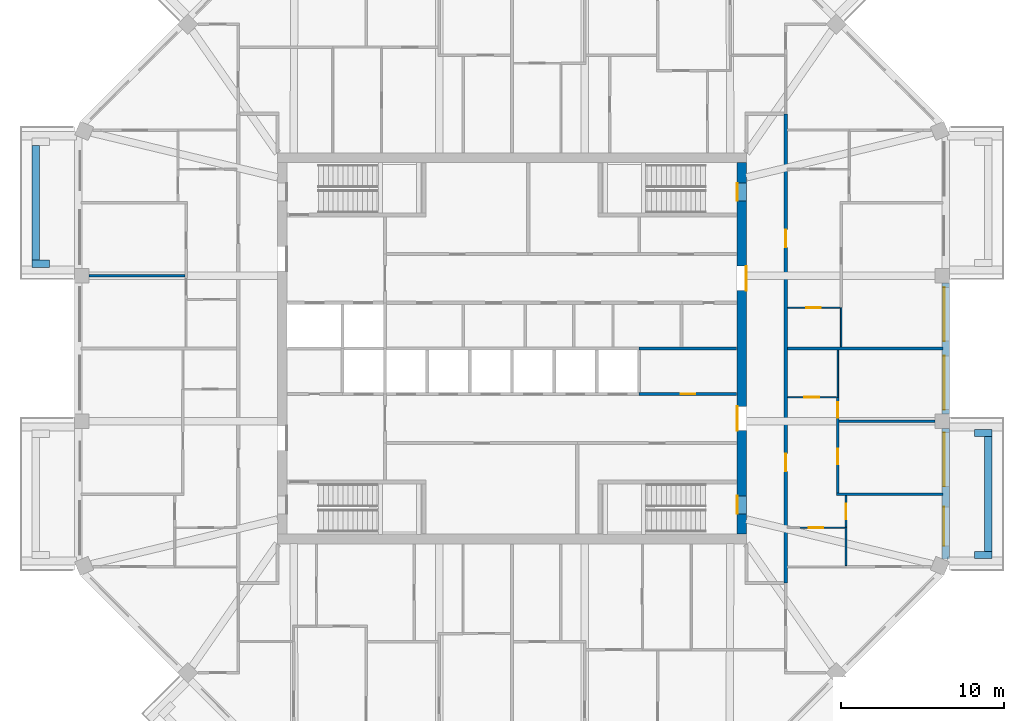
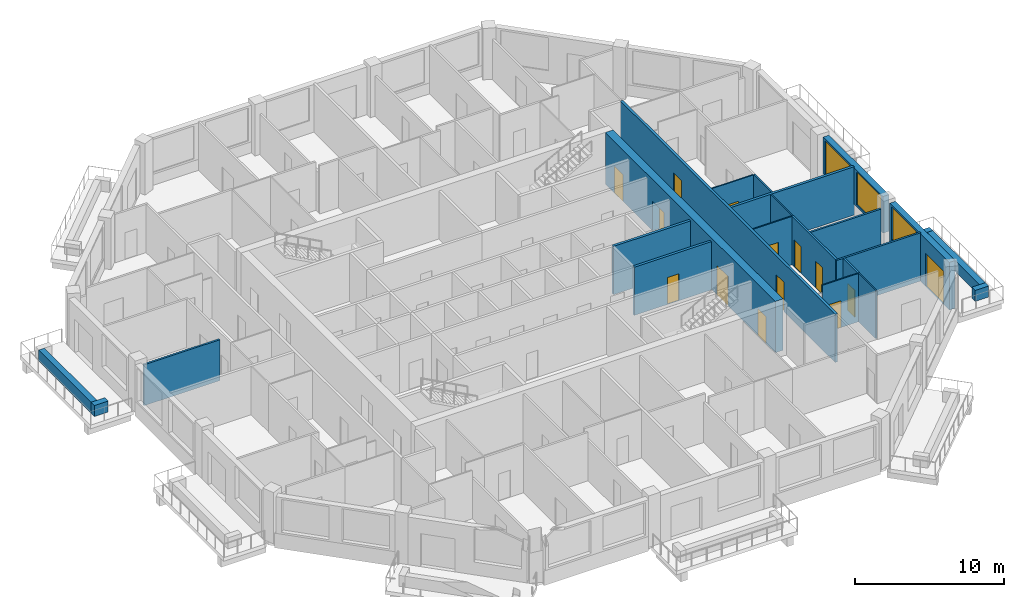
# One storey, part 6 of 12: 23 walls, 14 doors, 3 windows, 17 openings.
"""IFC4 building model written with IfcOpenShell, lengths in metres."""

from ifc_helpers import new_model, si_unit, direction, frame, frame_2d, origin, place, context, subcontext, project, spatial, rectangle, extrude, material, layer, layer_set, type_object, element, fill, save


model = new_model("IFC4")

# Units and contexts
model_context = context("Model", 3, precision=1e-05, world=origin(), true_north=direction((0.0, 1.0)))
body_context = subcontext(model_context, "Body", "Model", "MODEL_VIEW")
ifc_project = project(units=[si_unit("LENGTHUNIT", "METRE"), si_unit("AREAUNIT", "SQUARE_METRE"), si_unit("VOLUMEUNIT", "CUBIC_METRE"), si_unit("PLANEANGLEUNIT", "RADIAN"), si_unit("MASSUNIT", "GRAM", prefix="KILO")], contexts=[model_context])

# Site, building, storey
site_placement = place(None, origin())
site = spatial("IfcSite", under=ifc_project, at=site_placement, CompositionType="ELEMENT")
building_placement = place(site_placement, origin())
building = spatial("IfcBuilding", under=site, at=building_placement, Name="Msitu Wima Residences", CompositionType="ELEMENT")
storey_placement = place(building_placement, frame((0.0, 0.0, 276.89990234375)))
storey = spatial("IfcBuildingStorey", under=building, at=storey_placement, Name="L64", CompositionType="ELEMENT", Elevation=276.89990234375)

# Walls
ifc_material_1 = material(Name="Facing brick")
ifc_layer_1 = layer(ifc_material_1, 0.06494140625, Name="Facing brick")
ifc_material_2 = material(Name="Concrete C40/50", Category="concrete")
ifc_layer_2 = layer(ifc_material_2, 0.156005859375, Name="Concrete C40/50")
ifc_material_3 = material(Name="Waterproofing membrane")
ifc_layer_3 = layer(ifc_material_3, 0.00390625, Name="Waterproofing membrane")
ifc_material_4 = material(Name="Planting soil and planting")
ifc_layer_4 = layer(ifc_material_4, 0.22509765625, Name="Planting soil and planting")
ifc_layer_set_1 = layer_set([ifc_layer_1, ifc_layer_2, ifc_layer_3, ifc_layer_4], Name="Concrete C40/50")
wall_type_1 = type_object("IfcWallType", Name="Balcony planter PLANTER PL450", PredefinedType="USERDEFINED", material=ifc_layer_set_1)
wall_1_placement = place(storey_placement, frame((29.22509765625, -12.455810546875, 0.0), z_axis=(0.0, 0.0, 1.0), x_axis=(0.0, 1.0, 0.0)))
element("IfcWall", 1, at=wall_1_placement, inside=storey, type_object=wall_type_1, Name="Balcony planter E0 L64", ObjectType="PLANTER", PredefinedType="USERDEFINED", context=body_context, shape_type="SweptSolid", body=[
    extrude(rectangle(XDim=7.037109375, YDim=0.449951171875, at=frame_2d((3.5185546875, 0.0))), origin(), (0.0, 0.0, 1.0), 0.900146484375),
])
for number, where, z_axis, x_axis, name in (
    (2, (28.39990234375, -12.680908203125, 0.0), (0.0, 0.0, 1.0), (1.0, 0.0, 0.0), "Balcony planter E0 L64"),
    (3, (28.39990234375, -5.193603515625, 0.0), (0.0, 0.0, 1.0), (1.0, 0.0, 0.0), "Balcony planter E0 L64"),
):
    element("IfcWall", number, at=place(storey_placement, frame(where, z_axis=z_axis, x_axis=x_axis)), inside=storey, type_object=wall_type_1, Name=name, ObjectType="PLANTER", PredefinedType="USERDEFINED", context=body_context, shape_type="SweptSolid", body=[
        extrude(rectangle(XDim=1.050048828125, YDim=0.449951171875, at=frame_2d((0.52490234375, 0.0))), origin(), (0.0, 0.0, 1.0), 0.900146484375),
    ])
wall_2_placement = place(storey_placement, frame((-29.22509765625, 12.455810546875, 0.0), z_axis=(0.0, 0.0, 1.0), x_axis=(0.0, -1.0, 0.0)))
element("IfcWall", 4, at=wall_2_placement, inside=storey, type_object=wall_type_1, Name="Balcony planter W0 L64", ObjectType="PLANTER", PredefinedType="USERDEFINED", context=body_context, shape_type="SweptSolid", body=[
    extrude(rectangle(XDim=7.037109375, YDim=0.449951171875, at=frame_2d((3.5185546875, 0.0))), origin(), (0.0, 0.0, 1.0), 0.900146484375),
])
wall_3_placement = place(storey_placement, frame((-28.39990234375, 5.193603515625, 0.0), z_axis=(0.0, 0.0, 1.0), x_axis=(-1.0, 0.0, 0.0)))
element("IfcWall", 5, at=wall_3_placement, inside=storey, type_object=wall_type_1, Name="Balcony planter W0 L64", ObjectType="PLANTER", PredefinedType="USERDEFINED", context=body_context, shape_type="SweptSolid", body=[
    extrude(rectangle(XDim=1.050048828125, YDim=0.449951171875, at=frame_2d((0.52490234375, 0.0))), origin(), (0.0, 0.0, 1.0), 0.900146484375),
])

# Wall, openings, door, window
ifc_material_5 = material(Name="Brick (red buff mix)", Category="masonry")
ifc_layer_5 = layer(ifc_material_5, 0.449951171875)
ifc_layer_set_2 = layer_set([ifc_layer_5], Name="Brick (red buff mix)")
wall_type_2 = type_object("IfcWallType", Name="Brick infill wall BW450", PredefinedType="SOLIDWALL", material=ifc_layer_set_2)
wall_4_placement = place(storey_placement, frame((26.625, -12.918701171875, 0.0), z_axis=(0.0, 0.0, 1.0), x_axis=(0.0, 1.0, 0.0)))
wall_4 = element("IfcWall", 6, at=wall_4_placement, inside=storey, type_object=wall_type_2, Name="Brick infill wall L64 E0", PredefinedType="SOLIDWALL", context=body_context, shape_type="SweptSolid", body=[
    extrude(rectangle(XDim=8.0, YDim=0.449951171875, at=frame_2d((4.0, 0.0))), origin(), (0.0, 0.0, 1.0), 3.900146484375),
])
opening_1_placement = place(wall_4_placement, frame((0.800048828125, 0.0, 0.0)))
opening_1 = element("IfcOpeningElement", 7, at=opening_1_placement, cuts=wall_4, Name="Opening D63-64.001", PredefinedType="OPENING", context=body_context, shape_type="SweptSolid", body=[
    extrude(rectangle(XDim=2.39990234375, YDim=2.699951171875, at=frame_2d((1.199951171875, 1.35009765625))), frame((0.0, 0.23486328125, 0.0), z_axis=(0.0, -1.0, 0.0), x_axis=(1.0, 0.0, 0.0)), (0.0, 0.0, 1.0), 0.469970703125),
])
opening_2_placement = place(wall_4_placement, frame((4.4501953125, 0.0, 1.050048828125)))
opening_2 = element("IfcOpeningElement", 8, at=opening_2_placement, cuts=wall_4, Name="Opening W63-64.001", PredefinedType="OPENING", context=body_context, shape_type="SweptSolid", body=[
    extrude(rectangle(XDim=3.300048828125, YDim=2.699951171875, at=frame_2d((1.64990234375, 1.35009765625))), frame((0.0, 0.23486328125, 0.0), z_axis=(0.0, -1.0, 0.0), x_axis=(1.0, 0.0, 0.0)), (0.0, 0.0, 1.0), 0.469970703125),
])
ifc_material_6 = material(Name="Anodised aluminium, bronze finish, clear low-emissivity double glazing", Category="aluminium")
door_type_1 = type_object("IfcDoorType", Name="Balcony door D2400x2700", OperationType="SLIDING_TO_LEFT", PredefinedType="DOOR", material=ifc_material_6)
door_1_placement = place(opening_1_placement, origin())
door_1 = element("IfcDoor", 9, at=door_1_placement, inside=storey, type_object=door_type_1, Name="Balcony door L64 E0", OperationType="SINGLE_SWING_LEFT", OverallHeight=2.699951171875, OverallWidth=2.39990234375, PredefinedType="DOOR", context=body_context, shape_type="SweptSolid", body=[
    extrude(rectangle(XDim=2.39990234375, YDim=2.699951171875, at=frame_2d((1.199951171875, 1.35009765625))), frame((0.0, 0.1298828125, 0.0), z_axis=(0.0, -1.0, 0.0), x_axis=(1.0, 0.0, 0.0)), (0.0, 0.0, 1.0), 0.050048828125),
])
fill(opening_1, door_1)
window_type = type_object("IfcWindowType", Name="Window W3300x2700", PartitioningType="DOUBLE_PANEL_VERTICAL", PredefinedType="WINDOW", material=ifc_material_6)
window_1_placement = place(opening_2_placement, origin())
window_1 = element("IfcWindow", 10, at=window_1_placement, inside=storey, type_object=window_type, Name="Window L64 E0.2", OverallHeight=2.699951171875, OverallWidth=3.300048828125, PartitioningType="SINGLE_PANEL", PredefinedType="WINDOW", context=body_context, shape_type="SweptSolid", body=[
    extrude(rectangle(XDim=3.300048828125, YDim=2.699951171875, at=frame_2d((1.64990234375, 1.35009765625))), frame((0.0, 0.135009765625, 0.0), z_axis=(0.0, -1.0, 0.0), x_axis=(1.0, 0.0, 0.0)), (0.0, 0.0, 1.0), 0.06005859375),
])
fill(opening_2, window_1)

# Wall, openings, windows
wall_5_placement = place(storey_placement, frame((26.625, -4.0185546875, 0.900146484375), z_axis=(0.0, 0.0, 1.0), x_axis=(0.0, 1.0, 0.0)))
wall_5 = element("IfcWall", 11, at=wall_5_placement, inside=storey, type_object=wall_type_2, Name="Brick infill wall L64 E1", PredefinedType="SOLIDWALL", context=body_context, shape_type="SweptSolid", body=[
    extrude(rectangle(XDim=8.037109375, YDim=0.449951171875, at=frame_2d((4.0185546875, 0.0))), origin(), (0.0, 0.0, 1.0), 3.0),
])
opening_3_placement = place(wall_5_placement, frame((0.2685546875, 0.0, 0.14990234375)))
opening_3 = element("IfcOpeningElement", 12, at=opening_3_placement, cuts=wall_5, Name="Opening W63-64.002", PredefinedType="OPENING", context=body_context, shape_type="SweptSolid", body=[
    extrude(rectangle(XDim=3.300048828125, YDim=2.699951171875, at=frame_2d((1.64990234375, 1.35009765625))), frame((0.0, 0.23486328125, 0.0), z_axis=(0.0, -1.0, 0.0), x_axis=(1.0, 0.0, 0.0)), (0.0, 0.0, 1.0), 0.469970703125),
])
opening_4_placement = place(wall_5_placement, frame((4.46875, 0.0, 0.14990234375)))
opening_4 = element("IfcOpeningElement", 13, at=opening_4_placement, cuts=wall_5, Name="Opening W63-64.003", PredefinedType="OPENING", context=body_context, shape_type="SweptSolid", body=[
    extrude(rectangle(XDim=3.300048828125, YDim=2.699951171875, at=frame_2d((1.64990234375, 1.35009765625))), frame((0.0, 0.23486328125, 0.0), z_axis=(0.0, -1.0, 0.0), x_axis=(1.0, 0.0, 0.0)), (0.0, 0.0, 1.0), 0.469970703125),
])
window_2_placement = place(opening_3_placement, origin())
window_2 = element("IfcWindow", 14, at=window_2_placement, inside=storey, type_object=window_type, Name="Window L64 E1.1", OverallHeight=2.699951171875, OverallWidth=3.300048828125, PartitioningType="SINGLE_PANEL", PredefinedType="WINDOW", context=body_context, shape_type="SweptSolid", body=[
    extrude(rectangle(XDim=3.300048828125, YDim=2.699951171875, at=frame_2d((1.64990234375, 1.35009765625))), frame((0.0, 0.135009765625, 0.0), z_axis=(0.0, -1.0, 0.0), x_axis=(1.0, 0.0, 0.0)), (0.0, 0.0, 1.0), 0.06005859375),
])
fill(opening_3, window_2)
window_3_placement = place(opening_4_placement, origin())
window_3 = element("IfcWindow", 15, at=window_3_placement, inside=storey, type_object=window_type, Name="Window L64 E1.2", OverallHeight=2.699951171875, OverallWidth=3.300048828125, PartitioningType="SINGLE_PANEL", PredefinedType="WINDOW", context=body_context, shape_type="SweptSolid", body=[
    extrude(rectangle(XDim=3.300048828125, YDim=2.699951171875, at=frame_2d((1.64990234375, 1.35009765625))), frame((0.0, 0.135009765625, 0.0), z_axis=(0.0, -1.0, 0.0), x_axis=(1.0, 0.0, 0.0)), (0.0, 0.0, 1.0), 0.06005859375),
])
fill(opening_4, window_3)

# Wall, openings, doors
ifc_material_7 = material(Name="Concrete C50/60", Category="concrete")
ifc_layer_6 = layer(ifc_material_7, 0.60009765625)
ifc_layer_set_3 = layer_set([ifc_layer_6], Name="Concrete C50/60")
wall_type_3 = type_object("IfcWallType", Name="Core wall CW600 C50/60", PredefinedType="SHEAR", material=ifc_layer_set_3)
wall_6_placement = place(storey_placement, frame((14.10009765625, -11.39990234375, 0.0), z_axis=(0.0, 0.0, 1.0), x_axis=(0.0, 1.0, 0.0)))
wall_6 = element("IfcWall", 16, at=wall_6_placement, inside=storey, type_object=wall_type_3, Name="Core wall", PredefinedType="SHEAR", context=body_context, shape_type="SweptSolid", body=[
    extrude(rectangle(XDim=22.7998046875, YDim=0.60009765625, at=frame_2d((11.39990234375, 0.0))), origin(), (0.0, 0.0, 1.0), 4.2001953125),
])
opening_5_placement = place(wall_6_placement, frame((20.449951171875, 0.0, 0.0)))
opening_5 = element("IfcOpeningElement", 17, at=opening_5_placement, cuts=wall_6, Name="Opening D63-64.090", PredefinedType="OPENING", context=body_context, shape_type="SweptSolid", body=[
    extrude(rectangle(XDim=1.10009765625, YDim=2.199951171875, at=frame_2d((0.550048828125, 1.10009765625))), frame((0.0, 0.31005859375, 0.0), z_axis=(0.0, -1.0, 0.0), x_axis=(1.0, 0.0, 0.0)), (0.0, 0.0, 1.0), 0.6201171875),
])
opening_6_placement = place(wall_6_placement, frame((1.25, 0.0, 0.0)))
opening_6 = element("IfcOpeningElement", 18, at=opening_6_placement, cuts=wall_6, Name="Opening D63-64.091", PredefinedType="OPENING", context=body_context, shape_type="SweptSolid", body=[
    extrude(rectangle(XDim=1.10009765625, YDim=2.199951171875, at=frame_2d((0.550048828125, 1.10009765625))), frame((0.0, 0.31005859375, 0.0), z_axis=(0.0, -1.0, 0.0), x_axis=(1.0, 0.0, 0.0)), (0.0, 0.0, 1.0), 0.6201171875),
])
opening_7_placement = place(wall_6_placement, frame((14.949951171875, 0.0, 0.0)))
opening_7 = element("IfcOpeningElement", 19, at=opening_7_placement, cuts=wall_6, Name="Opening D63-64.077", PredefinedType="OPENING", context=body_context, shape_type="SweptSolid", body=[
    extrude(rectangle(XDim=1.5, YDim=2.39990234375, at=frame_2d((0.75, 1.199951171875))), frame((0.0, 0.31005859375, 0.0), z_axis=(0.0, -1.0, 0.0), x_axis=(1.0, 0.0, 0.0)), (0.0, 0.0, 1.0), 0.6201171875),
])
opening_8_placement = place(wall_6_placement, frame((6.35009765625, 0.0, 0.0)))
opening_8 = element("IfcOpeningElement", 20, at=opening_8_placement, cuts=wall_6, Name="Opening D63-64.078", PredefinedType="OPENING", context=body_context, shape_type="SweptSolid", body=[
    extrude(rectangle(XDim=1.5, YDim=2.39990234375, at=frame_2d((0.75, 1.199951171875))), frame((0.0, 0.31005859375, 0.0), z_axis=(0.0, -1.0, 0.0), x_axis=(1.0, 0.0, 0.0)), (0.0, 0.0, 1.0), 0.6201171875),
])
ifc_material_8 = material(Name="Steel framed glazed door, fire resisting", Category="steel")
door_type_2 = type_object("IfcDoorType", Name="Lobby door D07 1500x2400", OperationType="DOUBLE_DOOR_SINGLE_SWING", PredefinedType="DOOR", material=ifc_material_8)
door_2_placement = place(opening_7_placement, origin())
door_2 = element("IfcDoor", 21, at=door_2_placement, inside=storey, type_object=door_type_2, Name="Lobby door", OperationType="DOUBLE_DOOR_SINGLE_SWING", OverallHeight=2.39990234375, OverallWidth=1.5, PredefinedType="DOOR", context=body_context, shape_type="SweptSolid", body=[
    extrude(rectangle(XDim=1.5, YDim=2.39990234375, at=frame_2d((0.75, 1.199951171875))), frame((0.0, -0.2451171875, 0.0), z_axis=(0.0, -1.0, 0.0), x_axis=(1.0, 0.0, 0.0)), (0.0, 0.0, 1.0), 0.050048828125),
])
fill(opening_7, door_2)
door_3_placement = place(opening_8_placement, origin())
door_3 = element("IfcDoor", 22, at=door_3_placement, inside=storey, type_object=door_type_2, Name="Lobby door", OperationType="DOUBLE_DOOR_SINGLE_SWING", OverallHeight=2.39990234375, OverallWidth=1.5, PredefinedType="DOOR", context=body_context, shape_type="SweptSolid", body=[
    extrude(rectangle(XDim=1.5, YDim=2.39990234375, at=frame_2d((0.75, 1.199951171875))), frame((0.0, 0.294921875, 0.0), z_axis=(0.0, -1.0, 0.0), x_axis=(1.0, 0.0, 0.0)), (0.0, 0.0, 1.0), 0.050048828125),
])
fill(opening_8, door_3)
ifc_material_9 = material(Name="Steel door, fire resisting, panic bar", Category="steel")
door_type_3 = type_object("IfcDoorType", Name="Stair door D06 1100x2200", OperationType="SINGLE_SWING_LEFT", PredefinedType="DOOR", material=ifc_material_9)
door_4_placement = place(opening_5_placement, origin())
door_4 = element("IfcDoor", 23, at=door_4_placement, inside=storey, type_object=door_type_3, Name="Stair door", OperationType="SINGLE_SWING_LEFT", OverallHeight=2.199951171875, OverallWidth=1.10009765625, PredefinedType="DOOR", context=body_context, shape_type="SweptSolid", body=[
    extrude(rectangle(XDim=1.10009765625, YDim=2.199951171875, at=frame_2d((0.550048828125, 1.10009765625))), frame((0.0, 0.294921875, 0.0), z_axis=(0.0, -1.0, 0.0), x_axis=(1.0, 0.0, 0.0)), (0.0, 0.0, 1.0), 0.050048828125),
])
fill(opening_5, door_4)
door_5_placement = place(opening_6_placement, origin())
door_5 = element("IfcDoor", 24, at=door_5_placement, inside=storey, type_object=door_type_3, Name="Stair door", OperationType="SINGLE_SWING_RIGHT", OverallHeight=2.199951171875, OverallWidth=1.10009765625, PredefinedType="DOOR", context=body_context, shape_type="SweptSolid", body=[
    extrude(rectangle(XDim=1.10009765625, YDim=2.199951171875, at=frame_2d((0.550048828125, 1.10009765625))), frame((0.0, 0.294921875, 0.0), z_axis=(0.0, -1.0, 0.0), x_axis=(1.0, 0.0, 0.0)), (0.0, 0.0, 1.0), 0.050048828125),
])
fill(opening_6, door_5)

ifc_material_10 = material(Name="Plaster")
ifc_layer_7 = layer(ifc_material_10, 0.011962890625, Name="Plaster")
ifc_material_11 = material(Name="Concrete blockwork", Category="masonry")
ifc_layer_8 = layer(ifc_material_11, 0.176025390625, Name="Concrete blockwork")
ifc_layer_9 = layer(ifc_material_10, 0.011962890625, Name="Plaster")
ifc_layer_set_4 = layer_set([ifc_layer_7, ifc_layer_8, ifc_layer_9], Name="Concrete blockwork")
wall_type_4 = type_object("IfcWallType", Name="Corridor wall FW200", PredefinedType="PARTITIONING", material=ifc_layer_set_4)
wall_7_placement = place(storey_placement, frame((16.800048828125, -14.39990234375, 0.0), z_axis=(0.0, 0.0, 1.0), x_axis=(0.0, 1.0, 0.0)))
wall_7 = element("IfcWall", 25, at=wall_7_placement, inside=storey, type_object=wall_type_4, Name="Corridor wall", PredefinedType="PARTITIONING", context=body_context, shape_type="SweptSolid", body=[
    extrude(rectangle(XDim=28.7998046875, YDim=0.199951171875, at=frame_2d((14.39990234375, 0.0))), origin(), (0.0, 0.0, 1.0), 3.9501953125),
])
opening_9_placement = place(wall_7_placement, frame((20.60009765625, 0.0, 0.0)))
opening_9 = element("IfcOpeningElement", 26, at=opening_9_placement, cuts=wall_7, Name="Opening D63-64.011", PredefinedType="OPENING", context=body_context, shape_type="SweptSolid", body=[
    extrude(rectangle(XDim=1.10009765625, YDim=2.39990234375, at=frame_2d((0.550048828125, 1.199951171875))), frame((0.0, 0.10986328125, 0.0), z_axis=(0.0, -1.0, 0.0), x_axis=(1.0, 0.0, 0.0)), (0.0, 0.0, 1.0), 0.219970703125),
])
opening_10_placement = place(wall_7_placement, frame((6.85009765625, 0.0, 0.0)))
opening_10 = element("IfcOpeningElement", 27, at=opening_10_placement, cuts=wall_7, Name="Opening D63-64.053", PredefinedType="OPENING", context=body_context, shape_type="SweptSolid", body=[
    extrude(rectangle(XDim=1.10009765625, YDim=2.39990234375, at=frame_2d((0.550048828125, 1.199951171875))), frame((0.0, 0.10986328125, 0.0), z_axis=(0.0, -1.0, 0.0), x_axis=(1.0, 0.0, 0.0)), (0.0, 0.0, 1.0), 0.219970703125),
])
ifc_material_12 = material(Name="Timber flush door, fire resisting, self-closing", Category="wood")
door_type_4 = type_object("IfcDoorType", Name="Flat entrance door D01 1100x2400", OperationType="SINGLE_SWING_LEFT", PredefinedType="DOOR", material=ifc_material_12)
door_6_placement = place(opening_9_placement, origin())
door_6 = element("IfcDoor", 28, at=door_6_placement, inside=storey, type_object=door_type_4, Name="Flat entrance door", OperationType="SINGLE_SWING_LEFT", OverallHeight=2.39990234375, OverallWidth=1.10009765625, PredefinedType="DOOR", context=body_context, shape_type="SweptSolid", body=[
    extrude(rectangle(XDim=1.10009765625, YDim=2.39990234375, at=frame_2d((0.550048828125, 1.199951171875))), frame((0.0, 0.02490234375, 0.0), z_axis=(0.0, -1.0, 0.0), x_axis=(1.0, 0.0, 0.0)), (0.0, 0.0, 1.0), 0.050048828125),
])
fill(opening_9, door_6)
door_7_placement = place(opening_10_placement, origin())
door_7 = element("IfcDoor", 29, at=door_7_placement, inside=storey, type_object=door_type_4, Name="Flat entrance door", OperationType="SINGLE_SWING_RIGHT", OverallHeight=2.39990234375, OverallWidth=1.10009765625, PredefinedType="DOOR", context=body_context, shape_type="SweptSolid", body=[
    extrude(rectangle(XDim=1.10009765625, YDim=2.39990234375, at=frame_2d((0.550048828125, 1.199951171875))), frame((0.0, 0.02490234375, 0.0), z_axis=(0.0, -1.0, 0.0), x_axis=(1.0, 0.0, 0.0)), (0.0, 0.0, 1.0), 0.050048828125),
])
fill(opening_10, door_7)

# Wall
ifc_layer_10 = layer(ifc_material_10, 0.011962890625, Name="Plaster")
ifc_layer_11 = layer(ifc_material_11, 0.1259765625, Name="Concrete blockwork")
ifc_layer_12 = layer(ifc_material_10, 0.011962890625, Name="Plaster")
ifc_layer_set_5 = layer_set([ifc_layer_10, ifc_layer_11, ifc_layer_12], Name="Concrete blockwork")
wall_type_5 = type_object("IfcWallType", Name="Partition PW150", PredefinedType="PARTITIONING", material=ifc_layer_set_5)
wall_8_placement = place(storey_placement, frame((-25.949951171875, 4.46875, 0.0), z_axis=(0.0, 0.0, 1.0), x_axis=(1.0, 0.0, 0.0)))
element("IfcWall", 30, at=wall_8_placement, inside=storey, type_object=wall_type_5, Name="Partition", PredefinedType="PARTITIONING", context=body_context, shape_type="SweptSolid", body=[
    extrude(rectangle(XDim=5.875, YDim=0.14990234375, at=frame_2d((2.9375, 0.0))), origin(), (0.0, 0.0, 1.0), 3.35009765625),
])

# Wall, openings, doors
wall_9_placement = place(storey_placement, frame((20.0, -8.8623046875, 0.0), z_axis=(0.0, 0.0, 1.0), x_axis=(0.0, 1.0, 0.0)))
wall_9 = element("IfcWall", 31, at=wall_9_placement, inside=storey, type_object=wall_type_5, Name="Partition", PredefinedType="PARTITIONING", context=body_context, shape_type="SweptSolid", body=[
    extrude(rectangle(XDim=5.8623046875, YDim=0.14990234375, at=frame_2d((2.93115234375, 0.0))), origin(), (0.0, 0.0, 1.0), 3.9501953125),
])
opening_11_placement = place(wall_9_placement, frame((4.60009765625, 0.0, 0.0)))
opening_11 = element("IfcOpeningElement", 32, at=opening_11_placement, cuts=wall_9, Name="Opening D63-64.060", PredefinedType="OPENING", context=body_context, shape_type="SweptSolid", body=[
    extrude(rectangle(XDim=0.949951171875, YDim=2.199951171875, at=frame_2d((0.47509765625, 1.10009765625))), frame((0.0, 0.0849609375, 0.0), z_axis=(0.0, -1.0, 0.0), x_axis=(1.0, 0.0, 0.0)), (0.0, 0.0, 1.0), 0.169921875),
])
opening_12_placement = place(wall_9_placement, frame((1.75, 0.0, 0.0)))
opening_12 = element("IfcOpeningElement", 33, at=opening_12_placement, cuts=wall_9, Name="Opening D63-64.061", PredefinedType="OPENING", context=body_context, shape_type="SweptSolid", body=[
    extrude(rectangle(XDim=0.949951171875, YDim=2.199951171875, at=frame_2d((0.47509765625, 1.10009765625))), frame((0.0, 0.0849609375, 0.0), z_axis=(0.0, -1.0, 0.0), x_axis=(1.0, 0.0, 0.0)), (0.0, 0.0, 1.0), 0.169921875),
])
ifc_material_13 = material(Name="Timber flush door", Category="wood")
door_type_5 = type_object("IfcDoorType", Name="Room door D12 950x2200", OperationType="SINGLE_SWING_LEFT", PredefinedType="DOOR", material=ifc_material_13)
door_8_placement = place(opening_11_placement, origin())
door_8 = element("IfcDoor", 34, at=door_8_placement, inside=storey, type_object=door_type_5, Name="Room door", OperationType="SINGLE_SWING_RIGHT", OverallHeight=2.199951171875, OverallWidth=0.949951171875, PredefinedType="DOOR", context=body_context, shape_type="SweptSolid", body=[
    extrude(rectangle(XDim=0.949951171875, YDim=2.199951171875, at=frame_2d((0.47509765625, 1.10009765625))), frame((0.0, 0.02490234375, 0.0), z_axis=(0.0, -1.0, 0.0), x_axis=(1.0, 0.0, 0.0)), (0.0, 0.0, 1.0), 0.050048828125),
])
fill(opening_11, door_8)
door_9_placement = place(opening_12_placement, origin())
door_9 = element("IfcDoor", 35, at=door_9_placement, inside=storey, type_object=door_type_5, Name="Room door", OperationType="SINGLE_SWING_LEFT", OverallHeight=2.199951171875, OverallWidth=0.949951171875, PredefinedType="DOOR", context=body_context, shape_type="SweptSolid", body=[
    extrude(rectangle(XDim=0.949951171875, YDim=2.199951171875, at=frame_2d((0.47509765625, 1.10009765625))), frame((0.0, 0.02490234375, 0.0), z_axis=(0.0, -1.0, 0.0), x_axis=(1.0, 0.0, 0.0)), (0.0, 0.0, 1.0), 0.050048828125),
])
fill(opening_12, door_9)

# Walls
wall_10_placement = place(storey_placement, frame((19.925048828125, -8.937255859375, 0.0), z_axis=(0.0, 0.0, 1.0), x_axis=(1.0, 0.0, 0.0)))
element("IfcWall", 36, at=wall_10_placement, inside=storey, type_object=wall_type_5, Name="Partition", PredefinedType="PARTITIONING", context=body_context, shape_type="SweptSolid", body=[
    extrude(rectangle(XDim=6.530029296875, YDim=0.14990234375, at=frame_2d((3.26513671875, 0.0))), origin(), (0.0, 0.0, 1.0), 3.9501953125),
])
wall_11_placement = place(storey_placement, frame((20.074951171875, -4.46875, 0.0), z_axis=(0.0, 0.0, 1.0), x_axis=(1.0, 0.0, 0.0)))
element("IfcWall", 37, at=wall_11_placement, inside=storey, type_object=wall_type_5, Name="Partition", PredefinedType="PARTITIONING", context=body_context, shape_type="SweptSolid", body=[
    extrude(rectangle(XDim=5.875, YDim=0.14990234375, at=frame_2d((2.9375, 0.0))), origin(), (0.0, 0.0, 1.0), 3.35009765625),
])

# Wall, opening, door
wall_12_placement = place(storey_placement, frame((20.5, -10.97998046875, 0.0), z_axis=(0.0, 0.0, 1.0), x_axis=(0.0, 1.0, 0.0)))
wall_12 = element("IfcWall", 38, at=wall_12_placement, inside=storey, type_object=wall_type_5, Name="Partition", PredefinedType="PARTITIONING", context=body_context, shape_type="SweptSolid", body=[
    extrude(rectangle(XDim=1.9677734375, YDim=0.14990234375, at=frame_2d((0.98388671875, 0.0))), origin(), (0.0, 0.0, 1.0), 3.9501953125),
])
opening_13_placement = place(wall_12_placement, frame((0.5, 0.0, 0.0)))
opening_13 = element("IfcOpeningElement", 39, at=opening_13_placement, cuts=wall_12, Name="Opening D63-64.062", PredefinedType="OPENING", context=body_context, shape_type="SweptSolid", body=[
    extrude(rectangle(XDim=0.949951171875, YDim=2.199951171875, at=frame_2d((0.47509765625, 1.10009765625))), frame((0.0, 0.0849609375, 0.0), z_axis=(0.0, -1.0, 0.0), x_axis=(1.0, 0.0, 0.0)), (0.0, 0.0, 1.0), 0.169921875),
])
door_10_placement = place(opening_13_placement, origin())
door_10 = element("IfcDoor", 40, at=door_10_placement, inside=storey, type_object=door_type_5, Name="Room door", OperationType="SINGLE_SWING_LEFT", OverallHeight=2.199951171875, OverallWidth=0.949951171875, PredefinedType="DOOR", context=body_context, shape_type="SweptSolid", body=[
    extrude(rectangle(XDim=0.949951171875, YDim=2.199951171875, at=frame_2d((0.47509765625, 1.10009765625))), frame((0.0, 0.02490234375, 0.0), z_axis=(0.0, -1.0, 0.0), x_axis=(1.0, 0.0, 0.0)), (0.0, 0.0, 1.0), 0.050048828125),
])
fill(opening_13, door_10)

# Wall
ifc_layer_13 = layer(ifc_material_10, 0.011962890625, Name="Plaster")
ifc_material_14 = material(Name="Dense concrete blockwork", Category="masonry")
ifc_layer_14 = layer(ifc_material_14, 0.176025390625, Name="Dense concrete blockwork")
ifc_layer_15 = layer(ifc_material_10, 0.011962890625, Name="Plaster")
ifc_layer_set_6 = layer_set([ifc_layer_13, ifc_layer_14, ifc_layer_15], Name="Dense concrete blockwork")
wall_type_6 = type_object("IfcWallType", Name="Party wall PW200", PredefinedType="PARTITIONING", material=ifc_layer_set_6)
wall_13_placement = place(storey_placement, frame((16.89990234375, 0.0, 0.0), z_axis=(0.0, 0.0, 1.0), x_axis=(1.0, 0.0, 0.0)))
element("IfcWall", 41, at=wall_13_placement, inside=storey, type_object=wall_type_6, Name="Party wall", PredefinedType="PARTITIONING", context=body_context, shape_type="SweptSolid", body=[
    extrude(rectangle(XDim=9.55517578125, YDim=0.199951171875, at=frame_2d((4.777587890625, 0.0))), origin(), (0.0, 0.0, 1.0), 3.9501953125),
])

# Wall, opening, door
ifc_layer_16 = layer(ifc_material_10, 0.011962890625, Name="Plaster")
ifc_material_15 = material(Name="Reinforced concrete blockwork", Category="masonry")
ifc_layer_17 = layer(ifc_material_15, 0.176025390625, Name="Reinforced concrete blockwork")
ifc_layer_18 = layer(ifc_material_10, 0.011962890625, Name="Plaster")
ifc_layer_set_7 = layer_set([ifc_layer_16, ifc_layer_17, ifc_layer_18], Name="Reinforced concrete blockwork")
wall_type_7 = type_object("IfcWallType", Name="Plant and riser wall PL200", PredefinedType="PARTITIONING", material=ifc_layer_set_7)
wall_14_placement = place(storey_placement, frame((7.800048828125, -2.800048828125, 0.0), z_axis=(0.0, 0.0, 1.0), x_axis=(1.0, 0.0, 0.0)))
wall_14 = element("IfcWall", 42, at=wall_14_placement, inside=storey, type_object=wall_type_7, Name="Plant and riser wall", PredefinedType="PARTITIONING", context=body_context, shape_type="SweptSolid", body=[
    extrude(rectangle(XDim=5.969970703125, YDim=0.199951171875, at=frame_2d((2.98486328125, 0.0))), origin(), (0.0, 0.0, 1.0), 3.9501953125),
])
opening_14_placement = place(wall_14_placement, frame((2.550048828125, 0.0, 0.0)))
opening_14 = element("IfcOpeningElement", 43, at=opening_14_placement, cuts=wall_14, Name="Opening D63-64.067", PredefinedType="OPENING", context=body_context, shape_type="SweptSolid", body=[
    extrude(rectangle(XDim=0.89990234375, YDim=2.199951171875, at=frame_2d((0.449951171875, 1.10009765625))), frame((0.0, 0.10986328125, 0.0), z_axis=(0.0, -1.0, 0.0), x_axis=(1.0, 0.0, 0.0)), (0.0, 0.0, 1.0), 0.219970703125),
])
door_type_6 = type_object("IfcDoorType", Name="Service door D05 900x2200", OperationType="SINGLE_SWING_LEFT", PredefinedType="DOOR", material=ifc_material_13)
door_11_placement = place(opening_14_placement, origin())
door_11 = element("IfcDoor", 44, at=door_11_placement, inside=storey, type_object=door_type_6, Name="Service door", OperationType="SINGLE_SWING_LEFT", OverallHeight=2.199951171875, OverallWidth=0.89990234375, PredefinedType="DOOR", context=body_context, shape_type="SweptSolid", body=[
    extrude(rectangle(XDim=0.89990234375, YDim=2.199951171875, at=frame_2d((0.449951171875, 1.10009765625))), frame((0.0, 0.02490234375, 0.0), z_axis=(0.0, -1.0, 0.0), x_axis=(1.0, 0.0, 0.0)), (0.0, 0.0, 1.0), 0.050048828125),
])
fill(opening_14, door_11)

# Wall
wall_15_placement = place(storey_placement, frame((7.800048828125, 0.0, 0.0), z_axis=(0.0, 0.0, 1.0), x_axis=(1.0, 0.0, 0.0)))
element("IfcWall", 45, at=wall_15_placement, inside=storey, type_object=wall_type_7, Name="Plant and riser wall", PredefinedType="PARTITIONING", context=body_context, shape_type="SweptSolid", body=[
    extrude(rectangle(XDim=5.969970703125, YDim=0.199951171875, at=frame_2d((2.98486328125, 0.0))), origin(), (0.0, 0.0, 1.0), 3.9501953125),
])

# Wall, opening, door
ifc_material_16 = material(Name="Ceramic tiles")
ifc_layer_19 = layer(ifc_material_16, 0.008056640625, Name="Ceramic tiles")
ifc_material_17 = material(Name="Moisture-resistant board")
ifc_layer_20 = layer(ifc_material_17, 0.012451171875, Name="Moisture-resistant board")
ifc_material_18 = material(Name="Light-gauge stud framing with mineral wool")
ifc_layer_21 = layer(ifc_material_18, 0.06689453125, Name="Light-gauge stud framing with mineral wool")
ifc_layer_22 = layer(ifc_material_17, 0.012451171875, Name="Moisture-resistant board")
ifc_layer_set_8 = layer_set([ifc_layer_19, ifc_layer_20, ifc_layer_21, ifc_layer_22], Name="Light-gauge stud framing with mineral wool")
wall_type_8 = type_object("IfcWallType", Name="Wet wall PW100", PredefinedType="PARTITIONING", material=ifc_layer_set_8)
wall_16_placement = place(storey_placement, frame((17.65380859375, -11.0, 0.0), z_axis=(0.0, 0.0, 1.0), x_axis=(1.0, 0.0, 0.0)))
wall_16 = element("IfcWall", 46, at=wall_16_placement, inside=storey, type_object=wall_type_8, Name="Wet wall", PredefinedType="PARTITIONING", context=body_context, shape_type="SweptSolid", body=[
    extrude(rectangle(XDim=2.771240234375, YDim=0.10009765625, at=frame_2d((1.3857421875, 0.0))), origin(), (0.0, 0.0, 1.0), 3.9501953125),
])
opening_15_placement = place(wall_16_placement, frame((0.54638671875, 0.0, 0.0)))
opening_15 = element("IfcOpeningElement", 47, at=opening_15_placement, cuts=wall_16, Name="Opening D63-64.059", PredefinedType="OPENING", context=body_context, shape_type="SweptSolid", body=[
    extrude(rectangle(XDim=0.89990234375, YDim=2.199951171875, at=frame_2d((0.449951171875, 1.10009765625))), frame((0.0, 0.06005859375, 0.0), z_axis=(0.0, -1.0, 0.0), x_axis=(1.0, 0.0, 0.0)), (0.0, 0.0, 1.0), 0.1201171875),
])
ifc_material_19 = material(Name="Timber flush door, moisture resistant", Category="wood")
door_type_7 = type_object("IfcDoorType", Name="Bathroom door D03 900x2200", OperationType="SINGLE_SWING_LEFT", PredefinedType="DOOR", material=ifc_material_19)
door_12_placement = place(opening_15_placement, origin())
door_12 = element("IfcDoor", 48, at=door_12_placement, inside=storey, type_object=door_type_7, Name="Bathroom door", OperationType="SINGLE_SWING_RIGHT", OverallHeight=2.199951171875, OverallWidth=0.89990234375, PredefinedType="DOOR", context=body_context, shape_type="SweptSolid", body=[
    extrude(rectangle(XDim=0.89990234375, YDim=2.199951171875, at=frame_2d((0.449951171875, 1.10009765625))), frame((0.0, 0.02490234375, 0.0), z_axis=(0.0, -1.0, 0.0), x_axis=(1.0, 0.0, 0.0)), (0.0, 0.0, 1.0), 0.050048828125),
])
fill(opening_15, door_12)

wall_17_placement = place(storey_placement, frame((16.89990234375, -3.0, 0.0), z_axis=(0.0, 0.0, 1.0), x_axis=(1.0, 0.0, 0.0)))
wall_17 = element("IfcWall", 49, at=wall_17_placement, inside=storey, type_object=wall_type_8, Name="Wet wall", PredefinedType="PARTITIONING", context=body_context, shape_type="SweptSolid", body=[
    extrude(rectangle(XDim=3.025146484375, YDim=0.10009765625, at=frame_2d((1.5126953125, 0.0))), origin(), (0.0, 0.0, 1.0), 3.9501953125),
])
opening_16_placement = place(wall_17_placement, frame((1.050048828125, 0.0, 0.0)))
opening_16 = element("IfcOpeningElement", 50, at=opening_16_placement, cuts=wall_17, Name="Opening D63-64.054", PredefinedType="OPENING", context=body_context, shape_type="SweptSolid", body=[
    extrude(rectangle(XDim=0.89990234375, YDim=2.199951171875, at=frame_2d((0.449951171875, 1.10009765625))), frame((0.0, 0.06005859375, 0.0), z_axis=(0.0, -1.0, 0.0), x_axis=(1.0, 0.0, 0.0)), (0.0, 0.0, 1.0), 0.1201171875),
])
door_13_placement = place(opening_16_placement, origin())
door_13 = element("IfcDoor", 51, at=door_13_placement, inside=storey, type_object=door_type_7, Name="Bathroom door", OperationType="SINGLE_SWING_LEFT", OverallHeight=2.199951171875, OverallWidth=0.89990234375, PredefinedType="DOOR", context=body_context, shape_type="SweptSolid", body=[
    extrude(rectangle(XDim=0.89990234375, YDim=2.199951171875, at=frame_2d((0.449951171875, 1.10009765625))), frame((0.0, 0.02490234375, 0.0), z_axis=(0.0, -1.0, 0.0), x_axis=(1.0, 0.0, 0.0)), (0.0, 0.0, 1.0), 0.050048828125),
])
fill(opening_16, door_13)

wall_18_placement = place(storey_placement, frame((16.89990234375, 2.5, 0.0), z_axis=(0.0, 0.0, 1.0), x_axis=(1.0, 0.0, 0.0)))
wall_18 = element("IfcWall", 52, at=wall_18_placement, inside=storey, type_object=wall_type_8, Name="Wet wall", PredefinedType="PARTITIONING", context=body_context, shape_type="SweptSolid", body=[
    extrude(rectangle(XDim=3.22509765625, YDim=0.10009765625, at=frame_2d((1.612548828125, 0.0))), origin(), (0.0, 0.0, 1.0), 3.9501953125),
])
opening_17_placement = place(wall_18_placement, frame((1.14990234375, 0.0, 0.0)))
opening_17 = element("IfcOpeningElement", 53, at=opening_17_placement, cuts=wall_18, Name="Opening D63-64.012", PredefinedType="OPENING", context=body_context, shape_type="SweptSolid", body=[
    extrude(rectangle(XDim=0.89990234375, YDim=2.199951171875, at=frame_2d((0.449951171875, 1.10009765625))), frame((0.0, 0.06005859375, 0.0), z_axis=(0.0, -1.0, 0.0), x_axis=(1.0, 0.0, 0.0)), (0.0, 0.0, 1.0), 0.1201171875),
])
door_14_placement = place(opening_17_placement, origin())
door_14 = element("IfcDoor", 54, at=door_14_placement, inside=storey, type_object=door_type_7, Name="Bathroom door", OperationType="SINGLE_SWING_RIGHT", OverallHeight=2.199951171875, OverallWidth=0.89990234375, PredefinedType="DOOR", context=body_context, shape_type="SweptSolid", body=[
    extrude(rectangle(XDim=0.89990234375, YDim=2.199951171875, at=frame_2d((0.449951171875, 1.10009765625))), frame((0.0, 0.02490234375, 0.0), z_axis=(0.0, -1.0, 0.0), x_axis=(1.0, 0.0, 0.0)), (0.0, 0.0, 1.0), 0.050048828125),
])
fill(opening_17, door_14)

# Walls
wall_19_placement = place(storey_placement, frame((20.0, -3.0, 0.0), z_axis=(0.0, 0.0, 1.0), x_axis=(0.0, 1.0, 0.0)))
element("IfcWall", 55, at=wall_19_placement, inside=storey, type_object=wall_type_8, Name="Wet wall", PredefinedType="PARTITIONING", context=body_context, shape_type="SweptSolid", body=[
    extrude(rectangle(XDim=2.89990234375, YDim=0.10009765625, at=frame_2d((1.449951171875, 0.0))), origin(), (0.0, 0.0, 1.0), 3.9501953125),
])
wall_20_placement = place(storey_placement, frame((20.199951171875, 0.10009765625, 0.0), z_axis=(0.0, 0.0, 1.0), x_axis=(0.0, 1.0, 0.0)))
element("IfcWall", 56, at=wall_20_placement, inside=storey, type_object=wall_type_8, Name="Wet wall", PredefinedType="PARTITIONING", context=body_context, shape_type="SweptSolid", body=[
    extrude(rectangle(XDim=2.39990234375, YDim=0.10009765625, at=frame_2d((1.199951171875, 0.0))), origin(), (0.0, 0.0, 1.0), 3.9501953125),
])
wall_21_placement = place(storey_placement, frame((20.5, -13.330810546875, 0.0), z_axis=(0.0, 0.0, 1.0), x_axis=(0.0, 1.0, 0.0)))
element("IfcWall", 57, at=wall_21_placement, inside=storey, type_object=wall_type_8, Name="Wet wall", PredefinedType="PARTITIONING", context=body_context, shape_type="SweptSolid", body=[
    extrude(rectangle(XDim=2.350830078125, YDim=0.10009765625, at=frame_2d((1.17529296875, 0.0))), origin(), (0.0, 0.0, 1.0), 3.9501953125),
])

save(model, "model.ifc")
